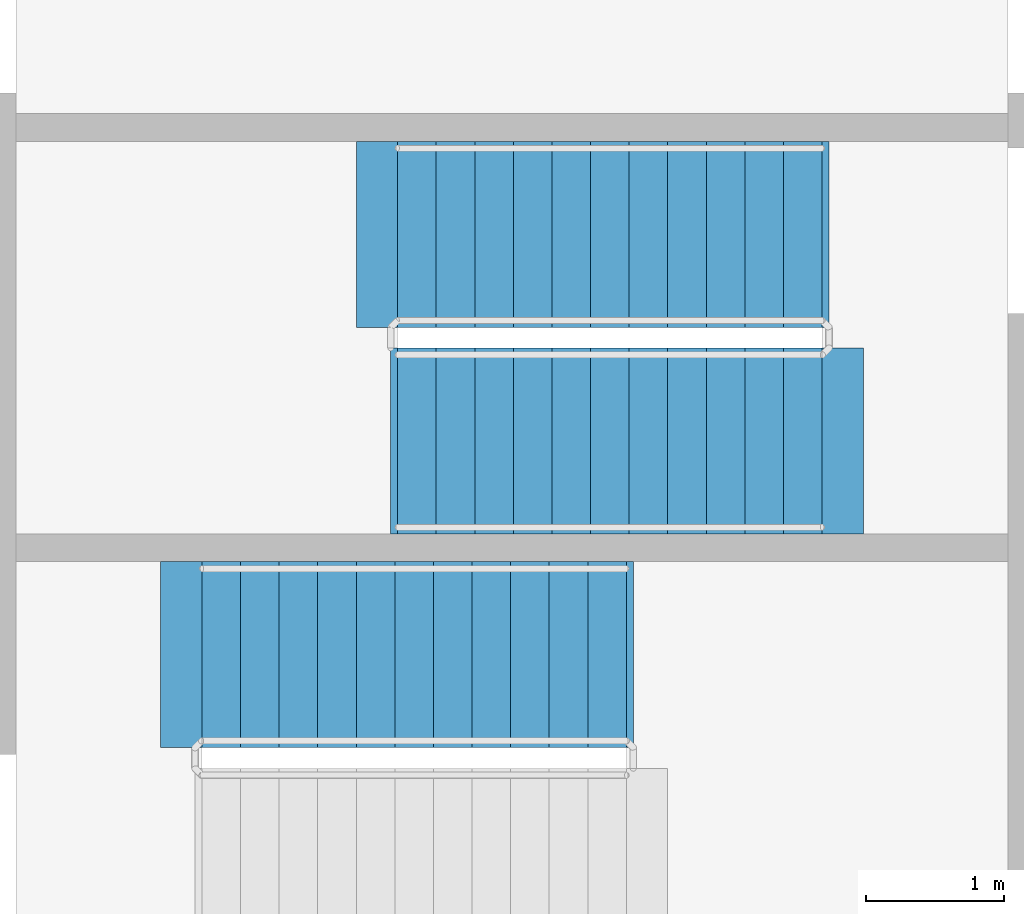
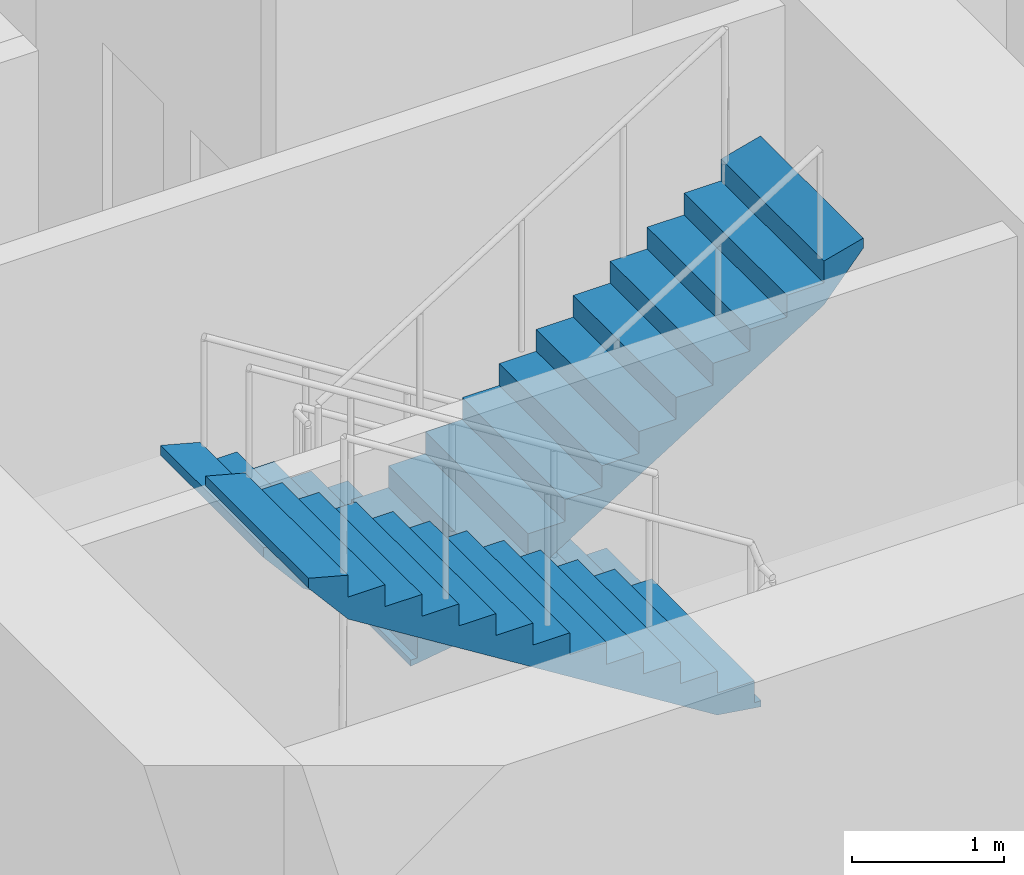
# One storey, part 19 of 23: 3 stair flights, 2 elements without a shape of their own.
"""IFC4 building model written with IfcOpenShell, lengths in metres."""

from ifc_helpers import new_model, si_unit, direction, frame, origin, place, context, subcontext, project, spatial, polyline, outline, extrude, material, type_object, element, aggregate, save


model = new_model("IFC4")

# Units and contexts
model_context = context("Model", 3, precision=1e-05, world=origin(), true_north=direction((0.0, 1.0)))
body_context = subcontext(model_context, "Body", "Model", "MODEL_VIEW")
ifc_project = project(units=[si_unit("LENGTHUNIT", "METRE"), si_unit("AREAUNIT", "SQUARE_METRE"), si_unit("VOLUMEUNIT", "CUBIC_METRE"), si_unit("PLANEANGLEUNIT", "RADIAN"), si_unit("MASSUNIT", "GRAM", prefix="KILO")], contexts=[model_context])

# Site, building, storey
site_placement = place(None, origin())
site = spatial("IfcSite", under=ifc_project, at=site_placement, CompositionType="ELEMENT")
building_placement = place(site_placement, origin())
building = spatial("IfcBuilding", under=site, at=building_placement, Name="Zarbagh Exchange Tower", CompositionType="ELEMENT")
storey_placement = place(building_placement, frame((0.0, 0.0, 73.199951171875)))
storey = spatial("IfcBuildingStorey", under=building, at=storey_placement, Name="L16", CompositionType="ELEMENT", Elevation=73.199951171875)

# Stair, stair flights
ifc_material = material(Name="Concrete C40/50", Category="concrete")
stair_type = type_object("IfcStairType", Name="Exit stair two-flight half-turn", PredefinedType="HALF_TURN_STAIR", material=ifc_material)
stair_1_placement = place(storey_placement, origin())
stair_1 = element("IfcStair", 1, at=stair_1_placement, inside=storey, type_object=stair_type, Name="exit stair ST1", PredefinedType="HALF_TURN_STAIR")
stair_flight_type = type_object("IfcStairFlightType", Name="Stair flight 1350 mm", PredefinedType="STRAIGHT", material=ifc_material)
stair_flight_1_placement = place(storey_placement, frame((2.25, 17.375, 0.0), z_axis=(0.0, 0.0, 1.0), x_axis=(-1.0, 0.0, 0.0)))
stair_flight_1 = element("IfcStairFlight", 2, at=stair_flight_1_placement, type_object=stair_flight_type, Name="ST1 flight 1", NumberOfRisers=12, NumberOfTreads=11, PredefinedType="STRAIGHT", RiserHeight=0.175, TreadLength=0.28, context=body_context, shape_type="SweptSolid", body=[
    extrude(outline(polyline([(-0.050048828125, -0.050048828125), (-0.050048828125, 0.0), (0.0, 0.0), (0.0, 0.175048828125), (0.280029296875, 0.175048828125), (0.280029296875, 0.35009765625), (0.56005859375, 0.35009765625), (0.56005859375, 0.52490234375), (0.840087890625, 0.52490234375), (0.840087890625, 0.699951171875), (1.1201171875, 0.699951171875), (1.1201171875, 0.875), (1.39990234375, 0.875), (1.39990234375, 1.050048828125), (1.679931640625, 1.050048828125), (1.679931640625, 1.22509765625), (1.9599609375, 1.22509765625), (1.9599609375, 1.39990234375), (2.239990234375, 1.39990234375), (2.239990234375, 1.574951171875), (2.52001953125, 1.574951171875), (2.52001953125, 1.75), (2.800048828125, 1.75), (2.800048828125, 1.925048828125), (3.080078125, 1.925048828125), (3.080078125, 2.10009765625), (3.3798828125, 2.179931640625), (3.3798828125, 2.10009765625), (3.080078125, 1.748291015625), (0.28271484375, 0.0), (-0.050048828125, -0.050048828125)])), frame((0.0, 0.675048828125, 0.0), z_axis=(0.0, -1.0, 0.0), x_axis=(1.0, 0.0, 0.0)), (0.0, 0.0, 1.0), 1.35009765625),
])
stair_flight_2_placement = place(storey_placement, frame((-0.830078125, 15.875, 2.10009765625), z_axis=(0.0, 0.0, 1.0), x_axis=(1.0, 0.0, 0.0)))
stair_flight_2 = element("IfcStairFlight", 3, at=stair_flight_2_placement, type_object=stair_flight_type, Name="ST1 flight 2", NumberOfRisers=12, NumberOfTreads=11, PredefinedType="STRAIGHT", RiserHeight=0.175, TreadLength=0.28, context=body_context, shape_type="SweptSolid", body=[
    extrude(outline(polyline([(-0.050048828125, -0.050048828125), (-0.050048828125, 0.0), (0.0, 0.0), (0.0, 0.175048828125), (0.280029296875, 0.175048828125), (0.280029296875, 0.35009765625), (0.56005859375, 0.35009765625), (0.56005859375, 0.52490234375), (0.840087890625, 0.52490234375), (0.840087890625, 0.699951171875), (1.1201171875, 0.699951171875), (1.1201171875, 0.875), (1.39990234375, 0.875), (1.39990234375, 1.050048828125), (1.679931640625, 1.050048828125), (1.679931640625, 1.22509765625), (1.9599609375, 1.22509765625), (1.9599609375, 1.39990234375), (2.239990234375, 1.39990234375), (2.239990234375, 1.574951171875), (2.52001953125, 1.574951171875), (2.52001953125, 1.75), (2.800048828125, 1.75), (2.800048828125, 1.925048828125), (3.080078125, 1.925048828125), (3.080078125, 2.10009765625), (3.3798828125, 2.179931640625), (3.3798828125, 2.10009765625), (3.080078125, 1.748291015625), (0.28271484375, 0.0), (-0.050048828125, -0.050048828125)])), frame((0.0, 0.675048828125, 0.0), z_axis=(0.0, -1.0, 0.0), x_axis=(1.0, 0.0, 0.0)), (0.0, 0.0, 1.0), 1.35009765625),
])
aggregate(stair_1, [stair_flight_1, stair_flight_2])

# Stair, stair flight
stair_2_placement = place(storey_placement, origin())
stair_2 = element("IfcStair", 4, at=stair_2_placement, inside=storey, type_object=stair_type, Name="exit stair ST2", PredefinedType="HALF_TURN_STAIR")
stair_flight_3_placement = place(storey_placement, frame((0.830078125, 14.324951171875, 2.10009765625), z_axis=(0.0, 0.0, 1.0), x_axis=(-1.0, 0.0, 0.0)))
stair_flight_3 = element("IfcStairFlight", 5, at=stair_flight_3_placement, type_object=stair_flight_type, Name="ST2 flight 2", NumberOfRisers=12, NumberOfTreads=11, PredefinedType="STRAIGHT", RiserHeight=0.175, TreadLength=0.28, context=body_context, shape_type="SweptSolid", body=[
    extrude(outline(polyline([(-0.050048828125, -0.050048828125), (-0.050048828125, 0.0), (0.0, 0.0), (0.0, 0.175048828125), (0.280029296875, 0.175048828125), (0.280029296875, 0.35009765625), (0.56005859375, 0.35009765625), (0.56005859375, 0.52490234375), (0.840087890625, 0.52490234375), (0.840087890625, 0.699951171875), (1.1201171875, 0.699951171875), (1.1201171875, 0.875), (1.39990234375, 0.875), (1.39990234375, 1.050048828125), (1.679931640625, 1.050048828125), (1.679931640625, 1.22509765625), (1.9599609375, 1.22509765625), (1.9599609375, 1.39990234375), (2.239990234375, 1.39990234375), (2.239990234375, 1.574951171875), (2.52001953125, 1.574951171875), (2.52001953125, 1.75), (2.800048828125, 1.75), (2.800048828125, 1.925048828125), (3.080078125, 1.925048828125), (3.080078125, 2.10009765625), (3.3798828125, 2.179931640625), (3.3798828125, 2.10009765625), (3.080078125, 1.748291015625), (0.28271484375, 0.0), (-0.050048828125, -0.050048828125)])), frame((0.0, 0.675048828125, 0.0), z_axis=(0.0, -1.0, 0.0), x_axis=(1.0, 0.0, 0.0)), (0.0, 0.0, 1.0), 1.35009765625),
])
aggregate(stair_2, [stair_flight_3])

save(model, "model.ifc")
